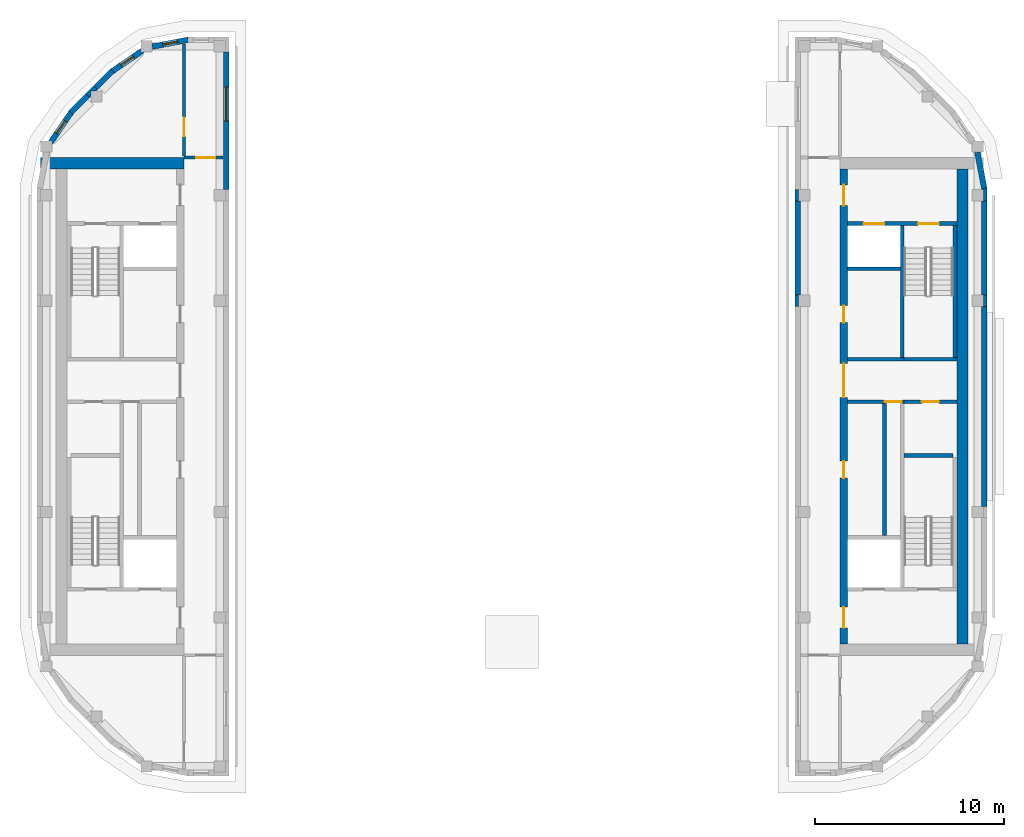
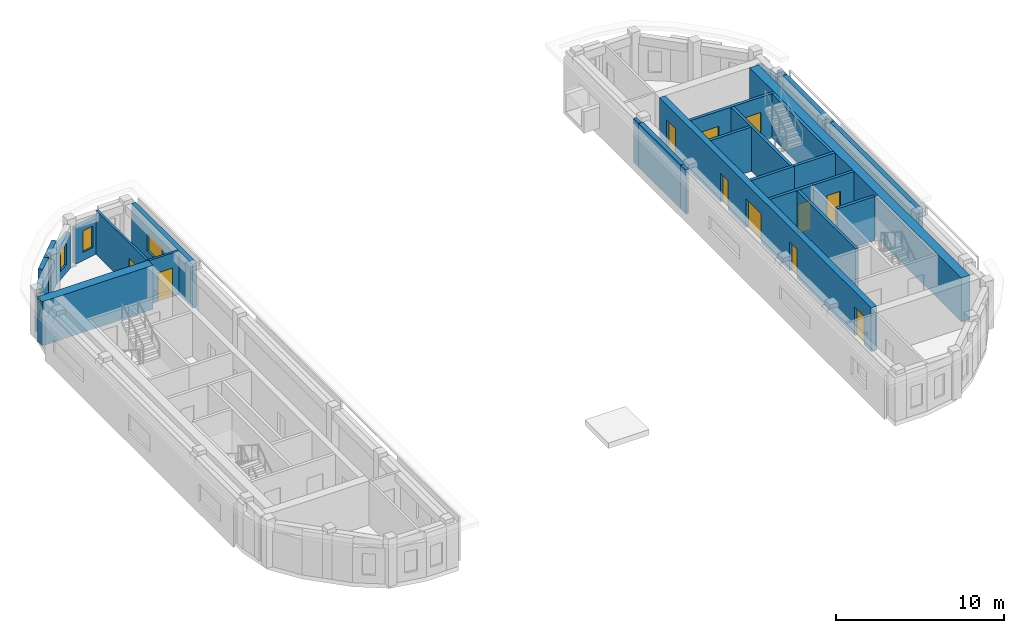
# One storey, part 4 of 11: 30 walls, 11 doors, 4 windows, 15 openings.
"""IFC4 building model written with IfcOpenShell, lengths in metres."""

from ifc_helpers import new_model, si_unit, direction, frame, frame_2d, origin, place, context, subcontext, project, spatial, polyline, rectangle, outline, extrude, material, layer, layer_set, type_object, element, fill, save


model = new_model("IFC4")

# Units and contexts
model_context = context("Model", 3, precision=1e-05, world=origin(), true_north=direction((0.0, 1.0)))
body_context = subcontext(model_context, "Body", "Model", "MODEL_VIEW")
ifc_project = project(units=[si_unit("LENGTHUNIT", "METRE"), si_unit("AREAUNIT", "SQUARE_METRE"), si_unit("VOLUMEUNIT", "CUBIC_METRE"), si_unit("PLANEANGLEUNIT", "RADIAN"), si_unit("MASSUNIT", "GRAM", prefix="KILO")], contexts=[model_context])

# Site, building, storey
site_placement = place(None, origin())
site = spatial("IfcSite", under=ifc_project, at=site_placement, CompositionType="ELEMENT")
building_placement = place(site_placement, origin())
building = spatial("IfcBuilding", under=site, at=building_placement, Name="Kiln Ring Residences", CompositionType="ELEMENT")
storey_placement = place(building_placement, frame((0.0, 0.0, 303.39990234375)))
storey = spatial("IfcBuildingStorey", under=building, at=storey_placement, Name="L78 Crown", CompositionType="ELEMENT", Elevation=303.39990234375)

# Wall, opening, door
ifc_material_1 = material(Name="Gypsum board on steel studs", Category="steel")
ifc_layer_1 = layer(ifc_material_1, 0.199951171875)
ifc_layer_set_1 = layer_set([ifc_layer_1], Name="CORE-PARTITION-200")
wall_type_1 = type_object("IfcWallType", Name="CORE-PARTITION-200", PredefinedType="PARTITIONING", material=ifc_layer_set_1)
wall_1_placement = place(storey_placement, frame((20.800048828125, 0.25, 0.0), z_axis=(0.0, 0.0, 1.0), x_axis=(1.0, 0.0, 0.0)))
wall_1 = element("IfcWall", 1, at=wall_1_placement, inside=storey, type_object=wall_type_1, Name="Core partition east L78 Crown 1", PredefinedType="PARTITIONING", context=body_context, shape_type="SweptSolid", body=[
    extrude(rectangle(XDim=2.800048828125, YDim=0.199951171875, at=frame_2d((1.39990234375, 0.0))), origin(), (0.0, 0.0, 1.0), 3.2001953125),
])
opening_1_placement = place(wall_1_placement, frame((0.949951171875, 0.0, 0.0)))
opening_1 = element("IfcOpeningElement", 2, at=opening_1_placement, cuts=wall_1, Name="Opening L78-CE11", PredefinedType="OPENING", context=body_context, shape_type="SweptSolid", body=[
    extrude(rectangle(XDim=0.89990234375, YDim=2.10009765625, at=frame_2d((0.449951171875, 1.050048828125))), frame((0.0, 0.10986328125, 0.0), z_axis=(0.0, -1.0, 0.0), x_axis=(1.0, 0.0, 0.0)), (0.0, 0.0, 1.0), 0.219970703125),
])
ifc_material_2 = material(Name="Steel door leaf", Category="steel")
door_type_1 = type_object("IfcDoorType", Name="CORE-DOOR-ROOM", OperationType="SINGLE_SWING_LEFT", PredefinedType="DOOR", material=ifc_material_2)
door_1_placement = place(opening_1_placement, origin())
door_1 = element("IfcDoor", 3, at=door_1_placement, inside=storey, type_object=door_type_1, Name="Linen store L78-CE11", OperationType="SINGLE_SWING_RIGHT", OverallHeight=2.10009765625, OverallWidth=0.89990234375, PredefinedType="DOOR", context=body_context, shape_type="SweptSolid", body=[
    extrude(rectangle(XDim=0.89990234375, YDim=2.10009765625, at=frame_2d((0.449951171875, 1.050048828125))), frame((0.0, 0.02490234375, 0.0), z_axis=(0.0, -1.0, 0.0), x_axis=(1.0, 0.0, 0.0)), (0.0, 0.0, 1.0), 0.050048828125),
])
fill(opening_1, door_1)

# Wall
wall_2_placement = place(storey_placement, frame((19.760009765625, -6.85009765625, 0.0), z_axis=(0.0, 0.0, 1.0), x_axis=(0.0, 1.0, 0.0)))
element("IfcWall", 4, at=wall_2_placement, inside=storey, type_object=wall_type_1, Name="Core partition east L78 Crown 2", PredefinedType="PARTITIONING", context=body_context, shape_type="SweptSolid", body=[
    extrude(rectangle(XDim=7.0, YDim=0.199951171875, at=frame_2d((3.5, 0.0))), origin(), (0.0, 0.0, 1.0), 3.2001953125),
])

# Wall, opening, door
ifc_material_3 = material(Name="Gypsum shaft wall system")
ifc_layer_2 = layer(ifc_material_3, 0.199951171875)
ifc_layer_set_2 = layer_set([ifc_layer_2], Name="CORE-SHAFT-WALL-200")
wall_type_2 = type_object("IfcWallType", Name="CORE-SHAFT-WALL-200", PredefinedType="PARTITIONING", material=ifc_layer_set_2)
wall_3_placement = place(storey_placement, frame((17.800048828125, 0.25, 0.0), z_axis=(0.0, 0.0, 1.0), x_axis=(1.0, 0.0, 0.0)))
wall_3 = element("IfcWall", 5, at=wall_3_placement, inside=storey, type_object=wall_type_2, Name="Core partition east L78 Crown 4", PredefinedType="PARTITIONING", context=body_context, shape_type="SweptSolid", body=[
    extrude(rectangle(XDim=3.0, YDim=0.199951171875, at=frame_2d((1.5, 0.0))), origin(), (0.0, 0.0, 1.0), 3.2001953125),
])
opening_2_placement = place(wall_3_placement, frame((1.97998046875, 0.0, 0.0)))
opening_2 = element("IfcOpeningElement", 6, at=opening_2_placement, cuts=wall_3, Name="Opening L78-CE03", PredefinedType="OPENING", context=body_context, shape_type="SweptSolid", body=[
    extrude(rectangle(XDim=0.89990234375, YDim=2.10009765625, at=frame_2d((0.449951171875, 1.050048828125))), frame((0.0, 0.10986328125, 0.0), z_axis=(0.0, -1.0, 0.0), x_axis=(1.0, 0.0, 0.0)), (0.0, 0.0, 1.0), 0.219970703125),
])
door_2_placement = place(opening_2_placement, origin())
door_2 = element("IfcDoor", 7, at=door_2_placement, inside=storey, type_object=door_type_1, Name="Waste room L78-CE03", OperationType="SINGLE_SWING_RIGHT", OverallHeight=2.10009765625, OverallWidth=0.89990234375, PredefinedType="DOOR", context=body_context, shape_type="SweptSolid", body=[
    extrude(rectangle(XDim=0.89990234375, YDim=2.10009765625, at=frame_2d((0.449951171875, 1.050048828125))), frame((0.0, 0.02490234375, 0.0), z_axis=(0.0, -1.0, 0.0), x_axis=(1.0, 0.0, 0.0)), (0.0, 0.0, 1.0), 0.050048828125),
])
fill(opening_2, door_2)

# Walls
wall_4_placement = place(storey_placement, frame((17.800048828125, 2.5, 0.0), z_axis=(0.0, 0.0, 1.0), x_axis=(1.0, 0.0, 0.0)))
element("IfcWall", 8, at=wall_4_placement, inside=storey, type_object=wall_type_2, Name="Core partition east L78 Crown 5", PredefinedType="PARTITIONING", context=body_context, shape_type="SweptSolid", body=[
    extrude(rectangle(XDim=3.0, YDim=0.199951171875, at=frame_2d((1.5, 0.0))), origin(), (0.0, 0.0, 1.0), 3.2001953125),
])
wall_5_placement = place(storey_placement, frame((17.800048828125, 7.300048828125, 0.0), z_axis=(0.0, 0.0, 1.0), x_axis=(1.0, 0.0, 0.0)))
element("IfcWall", 9, at=wall_5_placement, inside=storey, type_object=wall_type_2, Name="Core partition east L78 Crown 6", PredefinedType="PARTITIONING", context=body_context, shape_type="SweptSolid", body=[
    extrude(rectangle(XDim=2.800048828125, YDim=0.199951171875, at=frame_2d((1.39990234375, 0.0))), origin(), (0.0, 0.0, 1.0), 3.2001953125),
])
ifc_material_4 = material(Name="Concrete C40/50", Category="concrete")
ifc_layer_3 = layer(ifc_material_4, 0.199951171875)
ifc_layer_set_3 = layer_set([ifc_layer_3], Name="CORE-WALL-RC200")
wall_type_3 = type_object("IfcWallType", Name="CORE-WALL-RC200", PredefinedType="SHEAR", material=ifc_layer_set_3)
wall_6_placement = place(storey_placement, frame((20.699951171875, 2.60009765625, 0.0), z_axis=(0.0, 0.0, 1.0), x_axis=(0.0, 1.0, 0.0)))
element("IfcWall", 10, at=wall_6_placement, inside=storey, type_object=wall_type_3, Name="Core wall east L78 Crown 1", PredefinedType="SHEAR", context=body_context, shape_type="SweptSolid", body=[
    extrude(rectangle(XDim=7.0, YDim=0.199951171875, at=frame_2d((3.5, 0.0))), origin(), (0.0, 0.0, 1.0), 3.2001953125),
])
wall_7_placement = place(storey_placement, frame((20.800048828125, 2.5, 0.0), z_axis=(0.0, 0.0, 1.0), x_axis=(1.0, 0.0, 0.0)))
element("IfcWall", 11, at=wall_7_placement, inside=storey, type_object=wall_type_3, Name="Core wall east L78 Crown 3", PredefinedType="SHEAR", context=body_context, shape_type="SweptSolid", body=[
    extrude(rectangle(XDim=2.800048828125, YDim=0.199951171875, at=frame_2d((1.39990234375, 0.0))), origin(), (0.0, 0.0, 1.0), 3.2001953125),
])

# Wall, openings, doors
wall_8_placement = place(storey_placement, frame((17.800048828125, 9.699951171875, 0.0), z_axis=(0.0, 0.0, 1.0), x_axis=(1.0, 0.0, 0.0)))
wall_8 = element("IfcWall", 12, at=wall_8_placement, inside=storey, type_object=wall_type_3, Name="Core wall east L78 Crown 9", PredefinedType="SHEAR", context=body_context, shape_type="SweptSolid", body=[
    extrude(rectangle(XDim=5.800048828125, YDim=0.199951171875, at=frame_2d((2.89990234375, 0.0))), origin(), (0.0, 0.0, 1.0), 3.2001953125),
])
opening_3_placement = place(wall_8_placement, frame((0.85009765625, 0.0, 0.0)))
opening_3 = element("IfcOpeningElement", 13, at=opening_3_placement, cuts=wall_8, Name="Opening L78-CE05", PredefinedType="OPENING", context=body_context, shape_type="SweptSolid", body=[
    extrude(rectangle(XDim=1.10009765625, YDim=2.10009765625, at=frame_2d((0.550048828125, 1.050048828125))), frame((0.0, 0.10986328125, 0.0), z_axis=(0.0, -1.0, 0.0), x_axis=(1.0, 0.0, 0.0)), (0.0, 0.0, 1.0), 0.219970703125),
])
opening_4_placement = place(wall_8_placement, frame((3.75, 0.0, 0.0)))
opening_4 = element("IfcOpeningElement", 14, at=opening_4_placement, cuts=wall_8, Name="Opening L78-CE08", PredefinedType="OPENING", context=body_context, shape_type="SweptSolid", body=[
    extrude(rectangle(XDim=1.10009765625, YDim=2.10009765625, at=frame_2d((0.550048828125, 1.050048828125))), frame((0.0, 0.10986328125, 0.0), z_axis=(0.0, -1.0, 0.0), x_axis=(1.0, 0.0, 0.0)), (0.0, 0.0, 1.0), 0.219970703125),
])
ifc_material_5 = material(Name="Steel door leaf", Category="steel")
door_type_2 = type_object("IfcDoorType", Name="CORE-DOOR-LD", OperationType="DOUBLE_DOOR_SLIDING", PredefinedType="DOOR", material=ifc_material_5)
door_3_placement = place(opening_3_placement, origin())
door_3 = element("IfcDoor", 15, at=door_3_placement, inside=storey, type_object=door_type_2, Name="LD E-FF L78-CE05", OperationType="DOUBLE_DOOR_SLIDING", OverallHeight=2.10009765625, OverallWidth=1.10009765625, PredefinedType="DOOR", context=body_context, shape_type="SweptSolid", body=[
    extrude(rectangle(XDim=1.10009765625, YDim=2.10009765625, at=frame_2d((0.550048828125, 1.050048828125))), frame((0.0, 0.02490234375, 0.0), z_axis=(0.0, -1.0, 0.0), x_axis=(1.0, 0.0, 0.0)), (0.0, 0.0, 1.0), 0.050048828125),
])
fill(opening_3, door_3)
ifc_material_6 = material(Name="Steel door leaf", Category="steel")
door_type_3 = type_object("IfcDoorType", Name="CORE-DOOR-STAIR", OperationType="SINGLE_SWING_LEFT", PredefinedType="DOOR", material=ifc_material_6)
door_4_placement = place(opening_4_placement, origin())
door_4 = element("IfcDoor", 16, at=door_4_placement, inside=storey, type_object=door_type_3, Name="Stair E-STN L78-CE08", OperationType="SINGLE_SWING_LEFT", OverallHeight=2.10009765625, OverallWidth=1.10009765625, PredefinedType="DOOR", context=body_context, shape_type="SweptSolid", body=[
    extrude(rectangle(XDim=1.10009765625, YDim=2.10009765625, at=frame_2d((0.550048828125, 1.050048828125))), frame((0.0, 0.02490234375, 0.0), z_axis=(0.0, -1.0, 0.0), x_axis=(1.0, 0.0, 0.0)), (0.0, 0.0, 1.0), 0.050048828125),
])
fill(opening_4, door_4)

# Walls
wall_9_placement = place(storey_placement, frame((23.5, 2.60009765625, 0.0), z_axis=(0.0, 0.0, 1.0), x_axis=(0.0, 1.0, 0.0)))
element("IfcWall", 17, at=wall_9_placement, inside=storey, type_object=wall_type_3, Name="Core wall east L78 Crown 10", PredefinedType="SHEAR", context=body_context, shape_type="SweptSolid", body=[
    extrude(rectangle(XDim=7.0, YDim=0.199951171875, at=frame_2d((3.5, 0.0))), origin(), (0.0, 0.0, 1.0), 3.2001953125),
])
wall_10_placement = place(storey_placement, frame((20.800048828125, -2.60009765625, 0.0), z_axis=(0.0, 0.0, 1.0), x_axis=(1.0, 0.0, 0.0)))
element("IfcWall", 18, at=wall_10_placement, inside=storey, type_object=wall_type_3, Name="Core wall east L78 Crown 12", PredefinedType="SHEAR", context=body_context, shape_type="SweptSolid", body=[
    extrude(rectangle(XDim=2.599853515625, YDim=0.199951171875, at=frame_2d((1.2998046875, 0.0))), origin(), (0.0, 0.0, 1.0), 3.2001953125),
])

# Wall, openings, doors
ifc_material_7 = material(Name="Concrete C60/75", Category="concrete")
ifc_layer_4 = layer(ifc_material_7, 0.39990234375)
ifc_layer_set_4 = layer_set([ifc_layer_4], Name="CORE-WALL-RC400")
wall_type_4 = type_object("IfcWallType", Name="CORE-WALL-RC400", PredefinedType="SHEAR", material=ifc_layer_set_4)
wall_11_placement = place(storey_placement, frame((17.60009765625, -12.60009765625, 0.0), z_axis=(0.0, 0.0, 1.0), x_axis=(0.0, 1.0, 0.0)))
wall_11 = element("IfcWall", 19, at=wall_11_placement, inside=storey, type_object=wall_type_4, Name="Core wall east L78 Crown 6", PredefinedType="SHEAR", context=body_context, shape_type="SweptSolid", body=[
    extrude(rectangle(XDim=25.2001953125, YDim=0.39990234375, at=frame_2d((12.60009765625, 0.0))), origin(), (0.0, 0.0, 1.0), 3.2001953125),
])
opening_5_placement = place(wall_11_placement, frame((8.800048828125, 0.0, 0.0)))
opening_5 = element("IfcOpeningElement", 20, at=opening_5_placement, cuts=wall_11, Name="Opening L78-CE02", PredefinedType="OPENING", context=body_context, shape_type="SweptSolid", body=[
    extrude(rectangle(XDim=0.89990234375, YDim=2.10009765625, at=frame_2d((0.449951171875, 1.050048828125))), frame((0.0, 0.2099609375, 0.0), z_axis=(0.0, -1.0, 0.0), x_axis=(1.0, 0.0, 0.0)), (0.0, 0.0, 1.0), 0.419921875),
])
opening_6_placement = place(wall_11_placement, frame((17.050048828125, 0.0, 0.0)))
opening_6 = element("IfcOpeningElement", 21, at=opening_6_placement, cuts=wall_11, Name="Opening L78-CE04", PredefinedType="OPENING", context=body_context, shape_type="SweptSolid", body=[
    extrude(rectangle(XDim=0.89990234375, YDim=2.10009765625, at=frame_2d((0.449951171875, 1.050048828125))), frame((0.0, 0.2099609375, 0.0), z_axis=(0.0, -1.0, 0.0), x_axis=(1.0, 0.0, 0.0)), (0.0, 0.0, 1.0), 0.419921875),
])
opening_7_placement = place(wall_11_placement, frame((23.25, 0.0, 0.0)))
opening_7 = element("IfcOpeningElement", 22, at=opening_7_placement, cuts=wall_11, Name="Opening L78-CE06", PredefinedType="OPENING", context=body_context, shape_type="SweptSolid", body=[
    extrude(rectangle(XDim=1.10009765625, YDim=2.10009765625, at=frame_2d((0.550048828125, 1.050048828125))), frame((0.0, 0.2099609375, 0.0), z_axis=(0.0, -1.0, 0.0), x_axis=(1.0, 0.0, 0.0)), (0.0, 0.0, 1.0), 0.419921875),
])
opening_8_placement = place(wall_11_placement, frame((0.85009765625, 0.0, 0.0)))
opening_8 = element("IfcOpeningElement", 23, at=opening_8_placement, cuts=wall_11, Name="Opening L78-CE07", PredefinedType="OPENING", context=body_context, shape_type="SweptSolid", body=[
    extrude(rectangle(XDim=1.10009765625, YDim=2.10009765625, at=frame_2d((0.550048828125, 1.050048828125))), frame((0.0, 0.2099609375, 0.0), z_axis=(0.0, -1.0, 0.0), x_axis=(1.0, 0.0, 0.0)), (0.0, 0.0, 1.0), 0.419921875),
])
opening_9_placement = place(wall_11_placement, frame((13.074951171875, 0.0, 0.0)))
opening_9 = element("IfcOpeningElement", 24, at=opening_9_placement, cuts=wall_11, Name="Opening L78-CE10", PredefinedType="OPENING", context=body_context, shape_type="SweptSolid", body=[
    extrude(rectangle(XDim=1.800048828125, YDim=2.10009765625, at=frame_2d((0.89990234375, 1.050048828125))), frame((0.0, 0.2099609375, 0.0), z_axis=(0.0, -1.0, 0.0), x_axis=(1.0, 0.0, 0.0)), (0.0, 0.0, 1.0), 0.419921875),
])
ifc_material_8 = material(Name="Steel door leaf", Category="steel")
door_type_4 = type_object("IfcDoorType", Name="CORE-DOOR-LOBBY", OperationType="SINGLE_SWING_LEFT", PredefinedType="DOOR", material=ifc_material_8)
door_5_placement = place(opening_7_placement, origin())
door_5 = element("IfcDoor", 25, at=door_5_placement, inside=storey, type_object=door_type_4, Name="FFL L78-CE06", OperationType="SINGLE_SWING_RIGHT", OverallHeight=2.10009765625, OverallWidth=1.10009765625, PredefinedType="DOOR", context=body_context, shape_type="SweptSolid", body=[
    extrude(rectangle(XDim=1.10009765625, YDim=2.10009765625, at=frame_2d((0.550048828125, 1.050048828125))), frame((0.0, 0.02490234375, 0.0), z_axis=(0.0, -1.0, 0.0), x_axis=(1.0, 0.0, 0.0)), (0.0, 0.0, 1.0), 0.050048828125),
])
fill(opening_7, door_5)
door_6_placement = place(opening_8_placement, origin())
door_6 = element("IfcDoor", 26, at=door_6_placement, inside=storey, type_object=door_type_4, Name="SVL L78-CE07", OperationType="SINGLE_SWING_LEFT", OverallHeight=2.10009765625, OverallWidth=1.10009765625, PredefinedType="DOOR", context=body_context, shape_type="SweptSolid", body=[
    extrude(rectangle(XDim=1.10009765625, YDim=2.10009765625, at=frame_2d((0.550048828125, 1.050048828125))), frame((0.0, 0.02490234375, 0.0), z_axis=(0.0, -1.0, 0.0), x_axis=(1.0, 0.0, 0.0)), (0.0, 0.0, 1.0), 0.050048828125),
])
fill(opening_8, door_6)
ifc_material_9 = material(Name="Steel door leaf", Category="steel")
door_type_5 = type_object("IfcDoorType", Name="CORE-DOOR-PASS", OperationType="DOUBLE_DOOR_SINGLE_SWING", PredefinedType="DOOR", material=ifc_material_9)
door_7_placement = place(opening_9_placement, origin())
door_7 = element("IfcDoor", 27, at=door_7_placement, inside=storey, type_object=door_type_5, Name="Core passage L78-CE10", OperationType="DOUBLE_DOOR_SINGLE_SWING", OverallHeight=2.10009765625, OverallWidth=1.800048828125, PredefinedType="DOOR", context=body_context, shape_type="SweptSolid", body=[
    extrude(rectangle(XDim=1.800048828125, YDim=2.10009765625, at=frame_2d((0.89990234375, 1.050048828125))), frame((0.0, 0.02490234375, 0.0), z_axis=(0.0, -1.0, 0.0), x_axis=(1.0, 0.0, 0.0)), (0.0, 0.0, 1.0), 0.050048828125),
])
fill(opening_9, door_7)
door_8_placement = place(opening_5_placement, origin())
door_8 = element("IfcDoor", 28, at=door_8_placement, inside=storey, type_object=door_type_1, Name="Janitor's store L78-CE02", OperationType="SINGLE_SWING_LEFT", OverallHeight=2.10009765625, OverallWidth=0.89990234375, PredefinedType="DOOR", context=body_context, shape_type="SweptSolid", body=[
    extrude(rectangle(XDim=0.89990234375, YDim=2.10009765625, at=frame_2d((0.449951171875, 1.050048828125))), frame((0.0, 0.02490234375, 0.0), z_axis=(0.0, -1.0, 0.0), x_axis=(1.0, 0.0, 0.0)), (0.0, 0.0, 1.0), 0.050048828125),
])
fill(opening_5, door_8)
door_9_placement = place(opening_6_placement, origin())
door_9 = element("IfcDoor", 29, at=door_9_placement, inside=storey, type_object=door_type_1, Name="Goods store L78-CE04", OperationType="SINGLE_SWING_LEFT", OverallHeight=2.10009765625, OverallWidth=0.89990234375, PredefinedType="DOOR", context=body_context, shape_type="SweptSolid", body=[
    extrude(rectangle(XDim=0.89990234375, YDim=2.10009765625, at=frame_2d((0.449951171875, 1.050048828125))), frame((0.0, 0.02490234375, 0.0), z_axis=(0.0, -1.0, 0.0), x_axis=(1.0, 0.0, 0.0)), (0.0, 0.0, 1.0), 0.050048828125),
])
fill(opening_6, door_9)

# Walls
ifc_material_10 = material(Name="Concrete C60/75", Category="concrete")
ifc_layer_5 = layer(ifc_material_10, 0.60009765625)
ifc_layer_set_5 = layer_set([ifc_layer_5], Name="CORE-WALL-RC600")
wall_type_5 = type_object("IfcWallType", Name="CORE-WALL-RC600", PredefinedType="SHEAR", material=ifc_layer_set_5)
wall_12_placement = place(storey_placement, frame((-17.39990234375, 12.89990234375, 0.0), z_axis=(0.0, 0.0, 1.0), x_axis=(-1.0, 0.0, 0.0)))
element("IfcWall", 30, at=wall_12_placement, inside=storey, type_object=wall_type_5, Name="Core wall west L78 Crown 4", PredefinedType="SHEAR", context=body_context, shape_type="SweptSolid", body=[
    extrude(rectangle(XDim=7.60009765625, YDim=0.60009765625, at=frame_2d((3.800048828125, 0.0))), origin(), (0.0, 0.0, 1.0), 3.2001953125),
])
wall_13_placement = place(storey_placement, frame((23.89990234375, -12.60009765625, 0.0), z_axis=(0.0, 0.0, 1.0), x_axis=(0.0, 1.0, 0.0)))
element("IfcWall", 31, at=wall_13_placement, inside=storey, type_object=wall_type_5, Name="Core wall east L78 Crown 7", PredefinedType="SHEAR", context=body_context, shape_type="SweptSolid", body=[
    extrude(rectangle(XDim=25.2001953125, YDim=0.60009765625, at=frame_2d((12.60009765625, 0.0))), origin(), (0.0, 0.0, 1.0), 3.2001953125),
])

# Wall, opening, window
ifc_material_11 = material(Name="Brick masonry, dark clay brick", Category="masonry")
ifc_layer_6 = layer(ifc_material_11, 0.300048828125)
ifc_layer_set_6 = layer_set([ifc_layer_6], Name="EW-300 BRICK WALL")
wall_type_6 = type_object("IfcWallType", Name="EW-300 BRICK WALL", PredefinedType="SOLIDWALL", material=ifc_layer_set_6)
wall_14_placement = place(storey_placement, frame((-15.14990234375, 11.5, 0.0), z_axis=(0.0, 0.0, 1.0), x_axis=(0.0, 1.0, 0.0)))
wall_14 = element("IfcWall", 32, at=wall_14_placement, inside=storey, type_object=wall_type_6, Name="Facade wall L78 Crown 8", PredefinedType="SOLIDWALL", context=body_context, shape_type="SweptSolid", body=[
    extrude(rectangle(XDim=7.300048828125, YDim=0.300048828125, at=frame_2d((3.64990234375, 0.0))), origin(), (0.0, 0.0, 1.0), 3.2001953125),
])
opening_10_placement = place(wall_14_placement, frame((3.637451171875, 0.0, 0.89990234375)))
opening_10 = element("IfcOpeningElement", 33, at=opening_10_placement, cuts=wall_14, Name="Opening W2", PredefinedType="OPENING", context=body_context, shape_type="SweptSolid", body=[
    extrude(rectangle(XDim=1.800048828125, YDim=1.25, at=frame_2d((0.89990234375, 0.625))), frame((0.0, 0.159912109375, 0.0), z_axis=(0.0, -1.0, 0.0), x_axis=(1.0, 0.0, 0.0)), (0.0, 0.0, 1.0), 0.320068359375),
])
ifc_material_12 = material(Name="Aluminium frame with double glazing", Category="aluminium")
window_type_1 = type_object("IfcWindowType", Name="WINDOW 1800 x 1250", PartitioningType="SINGLE_PANEL", PredefinedType="WINDOW", material=ifc_material_12)
window_1_placement = place(opening_10_placement, origin())
window_1 = element("IfcWindow", 34, at=window_1_placement, inside=storey, type_object=window_type_1, Name="Window L78 Crown 5", OverallHeight=1.25, OverallWidth=1.800048828125, PartitioningType="SINGLE_PANEL", PredefinedType="WINDOW", context=body_context, shape_type="SweptSolid", body=[
    extrude(rectangle(XDim=1.800048828125, YDim=1.25, at=frame_2d((0.89990234375, 0.625))), frame((0.0, 0.030029296875, 0.0), z_axis=(0.0, -1.0, 0.0), x_axis=(1.0, 0.0, 0.0)), (0.0, 0.0, 1.0), 0.06005859375),
])
fill(opening_10, window_1)

wall_15_placement = place(storey_placement, frame((-17.171875, 19.45263671875, 0.0), z_axis=(0.0, 0.0, 1.0), x_axis=(-0.982286967073, -0.187382801553, 0.0)))
wall_15 = element("IfcWall", 35, at=wall_15_placement, inside=storey, type_object=wall_type_6, Name="Facade wall L78 Crown 10", PredefinedType="SOLIDWALL", context=body_context, shape_type="SweptSolid", body=[
    extrude(rectangle(XDim=1.94775390625, YDim=0.300048828125, at=frame_2d((0.973876953125, 0.0))), origin(), (0.0, 0.0, 1.0), 2.60009765625),
])
opening_11_placement = place(wall_15_placement, frame((0.573974609375, 0.0, 0.60009765625)))
opening_11 = element("IfcOpeningElement", 36, at=opening_11_placement, cuts=wall_15, Name="Opening W5", PredefinedType="OPENING", context=body_context, shape_type="SweptSolid", body=[
    extrude(rectangle(XDim=0.800048828125, YDim=1.550048828125, at=frame_2d((0.39990234375, 0.77490234375))), frame((0.0, 0.159912109375, 0.0), z_axis=(0.0, -1.0, 0.0), x_axis=(1.0, 0.0, 0.0)), (0.0, 0.0, 1.0), 0.320068359375),
])
ifc_material_13 = material(Name="Aluminium frame with double glazing", Category="aluminium")
window_type_2 = type_object("IfcWindowType", Name="WINDOW 800 x 1550", PartitioningType="SINGLE_PANEL", PredefinedType="WINDOW", material=ifc_material_13)
window_2_placement = place(opening_11_placement, origin())
window_2 = element("IfcWindow", 37, at=window_2_placement, inside=storey, type_object=window_type_2, Name="Window L78 Crown 7", OverallHeight=1.550048828125, OverallWidth=0.800048828125, PartitioningType="SINGLE_PANEL", PredefinedType="WINDOW", context=body_context, shape_type="SweptSolid", body=[
    extrude(rectangle(XDim=0.800048828125, YDim=1.550048828125, at=frame_2d((0.39990234375, 0.77490234375))), frame((0.0, 0.030029296875, 0.0), z_axis=(0.0, -1.0, 0.0), x_axis=(1.0, 0.0, 0.0)), (0.0, 0.0, 1.0), 0.06005859375),
])
fill(opening_11, window_2)

wall_16_placement = place(storey_placement, frame((-19.601806640625, 18.873779296875, 0.0), z_axis=(0.0, 0.0, 1.0), x_axis=(-0.827022075481, -0.562169446579, 0.0)))
wall_16 = element("IfcWall", 38, at=wall_16_placement, inside=storey, type_object=wall_type_6, Name="Facade wall L78 Crown 11", PredefinedType="SOLIDWALL", context=body_context, shape_type="SweptSolid", body=[
    extrude(rectangle(XDim=1.94775390625, YDim=0.300048828125, at=frame_2d((0.973876953125, 0.0))), origin(), (0.0, 0.0, 1.0), 2.60009765625),
])
opening_12_placement = place(wall_16_placement, frame((0.573974609375, 0.0, 0.60009765625)))
opening_12 = element("IfcOpeningElement", 39, at=opening_12_placement, cuts=wall_16, Name="Opening W5", PredefinedType="OPENING", context=body_context, shape_type="SweptSolid", body=[
    extrude(rectangle(XDim=0.800048828125, YDim=1.550048828125, at=frame_2d((0.39990234375, 0.77490234375))), frame((0.0, 0.159912109375, 0.0), z_axis=(0.0, -1.0, 0.0), x_axis=(1.0, 0.0, 0.0)), (0.0, 0.0, 1.0), 0.320068359375),
])
window_3_placement = place(opening_12_placement, origin())
window_3 = element("IfcWindow", 40, at=window_3_placement, inside=storey, type_object=window_type_2, Name="Window L78 Crown 8", OverallHeight=1.550048828125, OverallWidth=0.800048828125, PartitioningType="SINGLE_PANEL", PredefinedType="WINDOW", context=body_context, shape_type="SweptSolid", body=[
    extrude(rectangle(XDim=0.800048828125, YDim=1.550048828125, at=frame_2d((0.39990234375, 0.77490234375))), frame((0.0, 0.030029296875, 0.0), z_axis=(0.0, -1.0, 0.0), x_axis=(1.0, 0.0, 0.0)), (0.0, 0.0, 1.0), 0.06005859375),
])
fill(opening_12, window_3)

# Walls
for number, where, z_axis, x_axis, name in (
    (41, (-21.19091796875, 17.796875, 0.0), (0.0, 0.0, 1.0), (-0.707106781187, -0.707106781187, 0.0), "Facade wall L78 Crown 12"),
    (42, (-22.506103515625, 16.481689453125, 0.0), (0.0, 0.0, 1.0), (-0.707203678312, -0.707009870781, 0.0), "Facade wall L78 Crown 13"),
):
    element("IfcWall", number, at=place(storey_placement, frame(where, z_axis=z_axis, x_axis=x_axis)), inside=storey, type_object=wall_type_6, Name=name, PredefinedType="SOLIDWALL", context=body_context, shape_type="SweptSolid", body=[
        extrude(rectangle(XDim=1.259765625, YDim=0.300048828125, at=frame_2d((0.6298828125, 0.0))), origin(), (0.0, 0.0, 1.0), 3.2001953125),
    ])

# Wall, opening, window
wall_17_placement = place(storey_placement, frame((-23.37890625, 15.61279296875, 0.0), z_axis=(0.0, 0.0, 1.0), x_axis=(-0.562025435703, -0.827119948752, 0.0)))
wall_17 = element("IfcWall", 43, at=wall_17_placement, inside=storey, type_object=wall_type_6, Name="Facade wall L78 Crown 14", PredefinedType="SOLIDWALL", context=body_context, shape_type="SweptSolid", body=[
    extrude(rectangle(XDim=1.94775390625, YDim=0.300048828125, at=frame_2d((0.973876953125, 0.0))), origin(), (0.0, 0.0, 1.0), 2.60009765625),
])
opening_13_placement = place(wall_17_placement, frame((0.573974609375, 0.0, 0.60009765625)))
opening_13 = element("IfcOpeningElement", 44, at=opening_13_placement, cuts=wall_17, Name="Opening W5", PredefinedType="OPENING", context=body_context, shape_type="SweptSolid", body=[
    extrude(rectangle(XDim=0.800048828125, YDim=1.550048828125, at=frame_2d((0.39990234375, 0.77490234375))), frame((0.0, 0.159912109375, 0.0), z_axis=(0.0, -1.0, 0.0), x_axis=(1.0, 0.0, 0.0)), (0.0, 0.0, 1.0), 0.320068359375),
])
window_4_placement = place(opening_13_placement, origin())
window_4 = element("IfcWindow", 45, at=window_4_placement, inside=storey, type_object=window_type_2, Name="Window L78 Crown 9", OverallHeight=1.550048828125, OverallWidth=0.800048828125, PartitioningType="SINGLE_PANEL", PredefinedType="WINDOW", context=body_context, shape_type="SweptSolid", body=[
    extrude(rectangle(XDim=0.800048828125, YDim=1.550048828125, at=frame_2d((0.39990234375, 0.77490234375))), frame((0.0, 0.030029296875, 0.0), z_axis=(0.0, -1.0, 0.0), x_axis=(1.0, 0.0, 0.0)), (0.0, 0.0, 1.0), 0.06005859375),
])
fill(opening_13, window_4)

# Walls
wall_18_placement = place(storey_placement, frame((15.14990234375, 10.89990234375, 0.0), z_axis=(0.0, 0.0, 1.0), x_axis=(0.0, -1.0, 0.0)))
element("IfcWall", 46, at=wall_18_placement, inside=storey, type_object=wall_type_6, Name="Facade wall L78 Crown 24", PredefinedType="SOLIDWALL", context=body_context, shape_type="SweptSolid", body=[
    extrude(rectangle(XDim=5.0, YDim=0.300048828125, at=frame_2d((2.5, 0.0))), origin(), (0.0, 0.0, 1.0), 3.2001953125),
])
wall_19_placement = place(storey_placement, frame((25.050048828125, -5.300048828125, 0.0), z_axis=(0.0, 0.0, 1.0), x_axis=(0.0, 1.0, 0.0)))
element("IfcWall", 47, at=wall_19_placement, inside=storey, type_object=wall_type_6, Name="Facade wall L78 Crown 36", PredefinedType="SOLIDWALL", context=body_context, shape_type="SweptSolid", body=[
    extrude(rectangle(XDim=10.60009765625, YDim=0.300048828125, at=frame_2d((5.300048828125, 0.0))), origin(), (0.0, 0.0, 1.0), 3.2001953125),
])
wall_20_placement = place(storey_placement, frame((25.050048828125, 5.89990234375, 0.0), z_axis=(0.0, 0.0, 1.0), x_axis=(0.0, 1.0, 0.0)))
element("IfcWall", 48, at=wall_20_placement, inside=storey, type_object=wall_type_6, Name="Facade wall L78 Crown 37", PredefinedType="SOLIDWALL", context=body_context, shape_type="SweptSolid", body=[
    extrude(rectangle(XDim=5.0, YDim=0.300048828125, at=frame_2d((2.5, 0.0))), origin(), (0.0, 0.0, 1.0), 3.2001953125),
])
wall_21_placement = place(storey_placement, frame((25.052490234375, 11.57275390625, 0.0), z_axis=(0.0, 0.0, 1.0), x_axis=(-0.187354129902, 0.982292436095, 0.0)))
element("IfcWall", 49, at=wall_21_placement, inside=storey, type_object=wall_type_6, Name="Facade wall L78 Crown 38", PredefinedType="SOLIDWALL", context=body_context, shape_type="SweptSolid", body=[
    extrude(rectangle(XDim=1.94677734375, YDim=0.300048828125, at=frame_2d((0.973388671875, 0.0))), origin(), (0.0, 0.0, 1.0), 2.60009765625),
])
placement = place(storey_placement, origin())
element("IfcWall", 50, at=placement, inside=storey, type_object=wall_type_6, Name="Corner wall L78 Crown 5", PredefinedType="SOLIDWALL", context=body_context, shape_type="SweptSolid", body=[
    extrude(outline(polyline([(-21.9755859375, 16.800048828125), (-22.18798828125, 17.01220703125), (-22.612060546875, 16.587890625), (-22.39990234375, 16.375732421875), (-22.346435546875, 16.42919921875), (-22.346435546875, 16.746337890625), (-22.029296875, 16.746337890625), (-21.9755859375, 16.800048828125)])), origin(), (0.0, 0.0, 1.0), 3.2001953125),
])
element("IfcWall", 51, at=placement, inside=storey, type_object=wall_type_6, Name="Corner wall L78 Crown 14", PredefinedType="SOLIDWALL", context=body_context, shape_type="SweptSolid", body=[
    extrude(outline(polyline([(25.199951171875, 10.89990234375), (25.199951171875, 11.600830078125), (24.9033203125, 11.544189453125), (24.89990234375, 11.56103515625), (24.89990234375, 11.5), (25.0, 11.5), (25.0, 10.89990234375), (25.199951171875, 10.89990234375)])), origin(), (0.0, 0.0, 1.0), 3.2001953125),
])
element("IfcWall", 52, at=placement, inside=storey, type_object=wall_type_6, Name="Corner wall L78 Crown 15", PredefinedType="SOLIDWALL", context=body_context, shape_type="SweptSolid", body=[
    extrude(outline(polyline([(25.0, 5.300048828125), (25.199951171875, 5.300048828125), (25.199951171875, 5.89990234375), (24.89990234375, 5.89990234375), (25.0, 5.89990234375), (25.0, 5.300048828125)])), origin(), (0.0, 0.0, 1.0), 3.2001953125),
])
element("IfcWall", 53, at=placement, inside=storey, type_object=wall_type_6, Name="Corner wall L78 Crown 22", PredefinedType="SOLIDWALL", context=body_context, shape_type="SweptSolid", body=[
    extrude(outline(polyline([(15.300048828125, 5.89990234375), (15.0, 5.89990234375), (15.0, 5.300048828125), (15.300048828125, 5.300048828125), (15.199951171875, 5.300048828125), (15.199951171875, 5.89990234375), (15.300048828125, 5.89990234375)])), origin(), (0.0, 0.0, 1.0), 3.2001953125),
])
element("IfcWall", 54, at=placement, inside=storey, type_object=wall_type_6, Name="Corner wall L78 Crown 23", PredefinedType="SOLIDWALL", context=body_context, shape_type="SweptSolid", body=[
    extrude(outline(polyline([(15.199951171875, 11.5), (15.0, 11.5), (15.0, 10.89990234375), (15.199951171875, 10.89990234375), (15.199951171875, 11.5)])), origin(), (0.0, 0.0, 1.0), 3.2001953125),
])

# Wall, opening, door
ifc_material_14 = material(Name="Brick masonry partition", Category="masonry")
ifc_layer_7 = layer(ifc_material_14, 0.14990234375)
ifc_layer_set_7 = layer_set([ifc_layer_7], Name="PARTITION-150-ei60")
wall_type_7 = type_object("IfcWallType", Name="PARTITION-150-ei60", PredefinedType="PARTITIONING", material=ifc_layer_set_7)
wall_27_placement = place(storey_placement, frame((-17.405029296875, 13.199951171875, 0.0), z_axis=(0.0, 0.0, 1.0), x_axis=(1.0, 0.0, 0.0)))
wall_27 = element("IfcWall", 55, at=wall_27_placement, inside=storey, type_object=wall_type_7, Name="Partition 002", PredefinedType="PARTITIONING", context=body_context, shape_type="SweptSolid", body=[
    extrude(rectangle(XDim=2.0849609375, YDim=0.14990234375, at=frame_2d((1.04248046875, 0.0))), origin(), (0.0, 0.0, 1.0), 3.2001953125),
])
opening_14_placement = place(wall_27_placement, frame((0.6650390625, 0.0, 0.0)))
opening_14 = element("IfcOpeningElement", 56, at=opening_14_placement, cuts=wall_27, Name="Opening L78-D001", PredefinedType="OPENING", context=body_context, shape_type="SweptSolid", body=[
    extrude(rectangle(XDim=1.0, YDim=2.10009765625, at=frame_2d((0.5, 1.050048828125))), frame((0.0, 0.0849609375, 0.0), z_axis=(0.0, -1.0, 0.0), x_axis=(1.0, 0.0, 0.0)), (0.0, 0.0, 1.0), 0.169921875),
])
ifc_material_15 = material(Name="Steel faced fire door leaf", Category="steel")
door_type_6 = type_object("IfcDoorType", Name="FLAT-DOOR-1000-FR", OperationType="SINGLE_SWING_LEFT", PredefinedType="DOOR", material=ifc_material_15)
door_10_placement = place(opening_14_placement, origin())
door_10 = element("IfcDoor", 57, at=door_10_placement, inside=storey, type_object=door_type_6, Name="Door L78-D001", OperationType="SINGLE_SWING_RIGHT", OverallHeight=2.10009765625, OverallWidth=1.0, PredefinedType="DOOR", context=body_context, shape_type="SweptSolid", body=[
    extrude(rectangle(XDim=1.0, YDim=2.10009765625, at=frame_2d((0.5, 1.050048828125))), frame((0.0, 0.02490234375, 0.0), z_axis=(0.0, -1.0, 0.0), x_axis=(1.0, 0.0, 0.0)), (0.0, 0.0, 1.0), 0.050048828125),
])
fill(opening_14, door_10)

wall_28_placement = place(storey_placement, frame((-17.39990234375, 13.27490234375, 0.0), z_axis=(0.0, 0.0, 1.0), x_axis=(0.0, 1.0, 0.0)))
wall_28 = element("IfcWall", 58, at=wall_28_placement, inside=storey, type_object=wall_type_7, Name="Partition 005", PredefinedType="PARTITIONING", context=body_context, shape_type="SweptSolid", body=[
    extrude(rectangle(XDim=5.96142578125, YDim=0.14990234375, at=frame_2d((2.980712890625, 0.0))), origin(), (0.0, 0.0, 1.0), 3.2001953125),
])
opening_15_placement = place(wall_28_placement, frame((1.044921875, 0.0, 0.0)))
opening_15 = element("IfcOpeningElement", 59, at=opening_15_placement, cuts=wall_28, Name="Opening L78-D002", PredefinedType="OPENING", context=body_context, shape_type="SweptSolid", body=[
    extrude(rectangle(XDim=1.0, YDim=2.10009765625, at=frame_2d((0.5, 1.050048828125))), frame((0.0, 0.0849609375, 0.0), z_axis=(0.0, -1.0, 0.0), x_axis=(1.0, 0.0, 0.0)), (0.0, 0.0, 1.0), 0.169921875),
])
door_11_placement = place(opening_15_placement, origin())
door_11 = element("IfcDoor", 60, at=door_11_placement, inside=storey, type_object=door_type_6, Name="Door L78-D002", OperationType="SINGLE_SWING_RIGHT", OverallHeight=2.10009765625, OverallWidth=1.0, PredefinedType="DOOR", context=body_context, shape_type="SweptSolid", body=[
    extrude(rectangle(XDim=1.0, YDim=2.10009765625, at=frame_2d((0.5, 1.050048828125))), frame((0.0, 0.02490234375, 0.0), z_axis=(0.0, -1.0, 0.0), x_axis=(1.0, 0.0, 0.0)), (0.0, 0.0, 1.0), 0.050048828125),
])
fill(opening_15, door_11)

save(model, "model.ifc")
